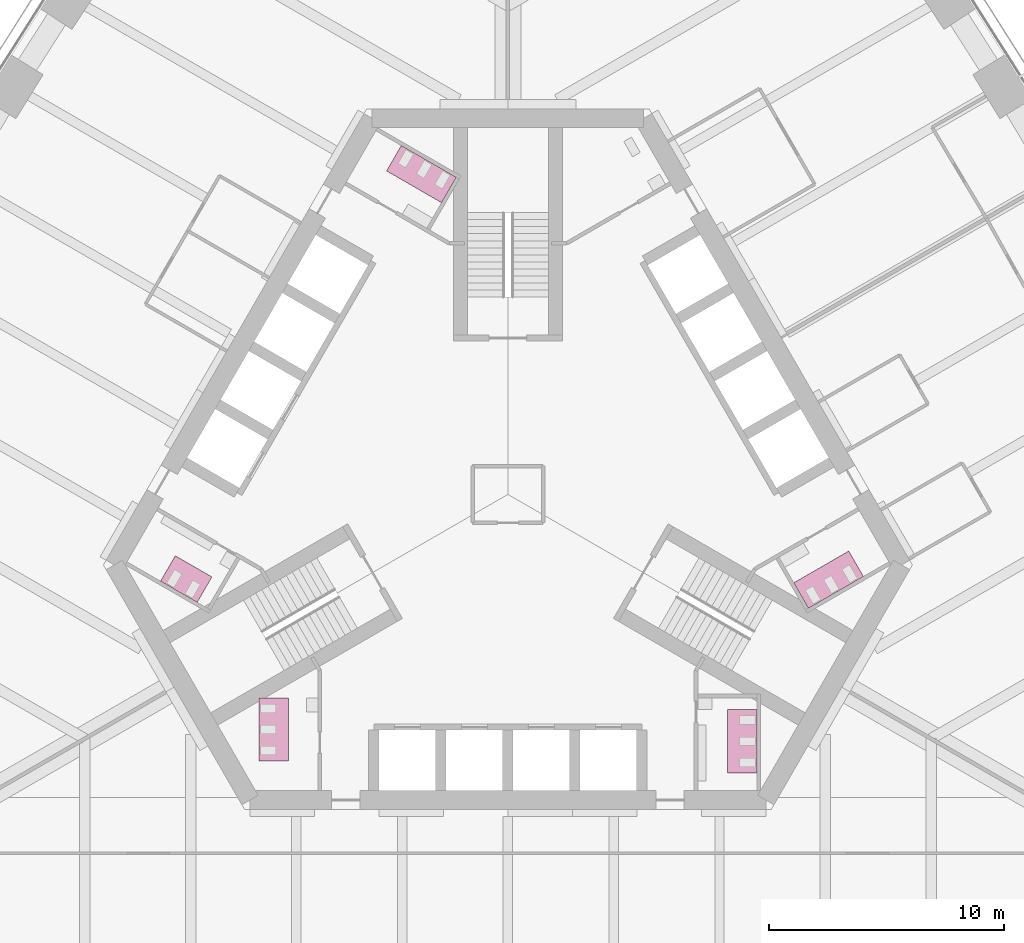
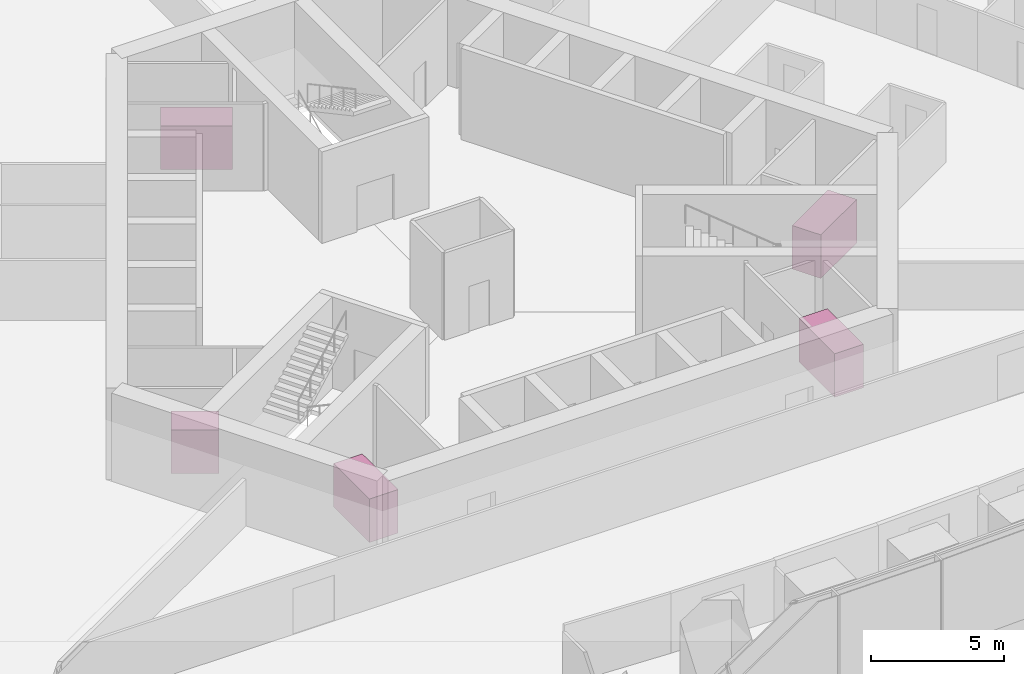
# One storey, part 19 of 19: 5 furniture elements.
"""IFC4 building model written with IfcOpenShell, lengths in metres."""

from ifc_helpers import new_model, si_unit, direction, frame, origin, place, context, subcontext, project, spatial, polyline, outline, extrude, material, type_object, element, save


model = new_model("IFC4")

# Units and contexts
model_context = context("Model", 3, precision=1e-05, world=origin(), true_north=direction((0.0, 1.0)))
body_context = subcontext(model_context, "Body", "Model", "MODEL_VIEW")
ifc_project = project(units=[si_unit("LENGTHUNIT", "METRE"), si_unit("AREAUNIT", "SQUARE_METRE"), si_unit("VOLUMEUNIT", "CUBIC_METRE"), si_unit("PLANEANGLEUNIT", "RADIAN"), si_unit("MASSUNIT", "GRAM", prefix="KILO")], contexts=[model_context])

# Site, building, storey
site_placement = place(None, origin())
site = spatial("IfcSite", under=ifc_project, at=site_placement, CompositionType="ELEMENT")
building_placement = place(site_placement, origin())
building = spatial("IfcBuilding", under=site, at=building_placement, Name="Trefoil Bronze Tower", CompositionType="ELEMENT")
storey_placement = place(building_placement, frame((0.0, 0.0, 83.699951171875)))
storey = spatial("IfcBuildingStorey", under=building, at=storey_placement, Name="L19", CompositionType="ELEMENT", Elevation=83.699951171875)

# Furniture
ifc_material_1 = material(Name="Compact laminate cubicles", Category="plastic")
furniture_type_1 = type_object("IfcFurnitureType", Name="WC cubicle range 2 cubicles", AssemblyPlace="FACTORY", PredefinedType="USERDEFINED", material=ifc_material_1)
furniture_1_placement = place(storey_placement, origin())
element("IfcFurniture", 1, at=furniture_1_placement, inside=storey, type_object=furniture_type_1, Name="WC cubicle range WC (men) L19", ObjectType="WC cubicle range", PredefinedType="USERDEFINED", context=body_context, shape_type="SweptSolid", body=[
    extrude(outline(polyline([(-12.591552734375, -3.50927734375), (-13.216552734375, -4.591796875), (-14.775390625, -3.69189453125), (-14.150390625, -2.609375), (-12.591552734375, -3.50927734375)])), origin(), (0.0, 0.0, 1.0), 2.0),
])
ifc_material_2 = material(Name="Compact laminate cubicles", Category="plastic")
furniture_type_2 = type_object("IfcFurnitureType", Name="WC cubicle range 3 cubicles", AssemblyPlace="FACTORY", PredefinedType="USERDEFINED", material=ifc_material_2)
furniture_2_placement = place(storey_placement, origin())
element("IfcFurniture", 2, at=furniture_2_placement, inside=storey, type_object=furniture_type_2, Name="WC cubicle range WC (men) L19", ObjectType="WC cubicle range", PredefinedType="USERDEFINED", context=body_context, shape_type="SweptSolid", body=[
    extrude(outline(polyline([(9.3349609375, -9.14990234375), (10.5849609375, -9.14990234375), (10.5849609375, -11.85009765625), (9.3349609375, -11.85009765625), (9.3349609375, -9.14990234375)])), origin(), (0.0, 0.0, 1.0), 2.0),
])
furniture_3_placement = place(storey_placement, origin())
element("IfcFurniture", 3, at=furniture_3_placement, inside=storey, type_object=furniture_type_2, Name="WC cubicle range WC (women) L19", ObjectType="WC cubicle range", PredefinedType="USERDEFINED", context=body_context, shape_type="SweptSolid", body=[
    extrude(outline(polyline([(12.15869140625, -3.75927734375), (12.78369140625, -4.841796875), (15.121826171875, -3.491943359375), (14.496826171875, -2.409423828125), (12.15869140625, -3.75927734375)])), origin(), (0.0, 0.0, 1.0), 2.0),
])
furniture_4_placement = place(storey_placement, origin())
element("IfcFurniture", 4, at=furniture_4_placement, inside=storey, type_object=furniture_type_2, Name="WC cubicle range WC (women) L19", ObjectType="WC cubicle range", PredefinedType="USERDEFINED", context=body_context, shape_type="SweptSolid", body=[
    extrude(outline(polyline([(-2.82373046875, 12.409423828125), (-2.19873046875, 13.491943359375), (-4.536865234375, 14.841796875), (-5.161865234375, 13.75927734375), (-2.82373046875, 12.409423828125)])), origin(), (0.0, 0.0, 1.0), 2.0),
])
furniture_5_placement = place(storey_placement, origin())
element("IfcFurniture", 5, at=furniture_5_placement, inside=storey, type_object=furniture_type_2, Name="WC cubicle range WC (women) L19", ObjectType="WC cubicle range", PredefinedType="USERDEFINED", context=body_context, shape_type="SweptSolid", body=[
    extrude(outline(polyline([(-9.3349609375, -8.64990234375), (-10.5849609375, -8.64990234375), (-10.5849609375, -11.35009765625), (-9.3349609375, -11.35009765625), (-9.3349609375, -8.64990234375)])), origin(), (0.0, 0.0, 1.0), 2.0),
])

save(model, "model.ifc")
